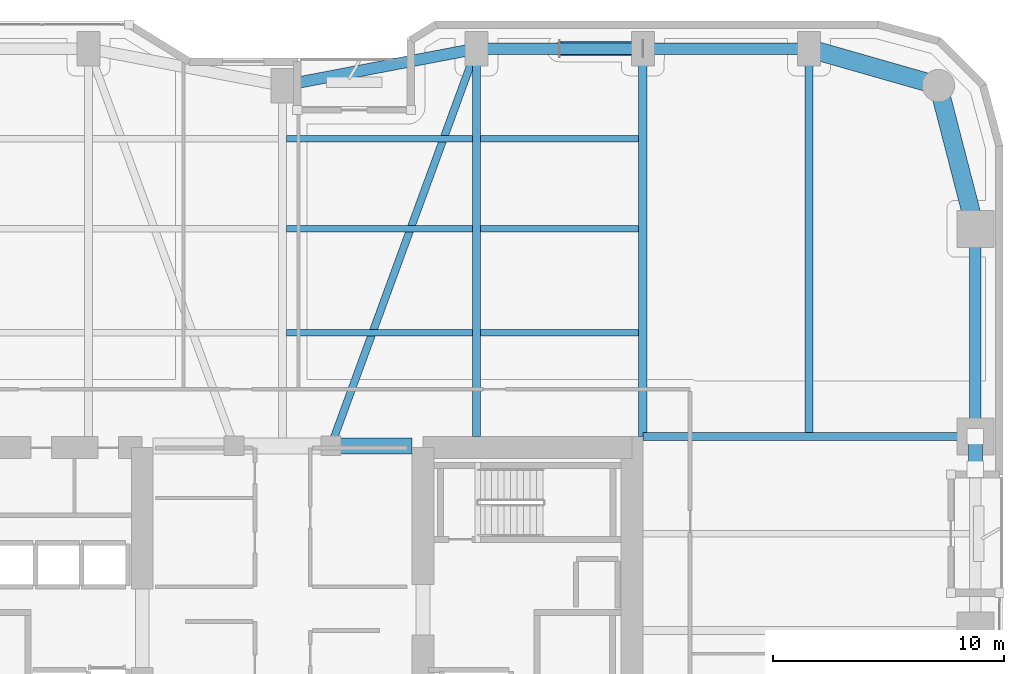
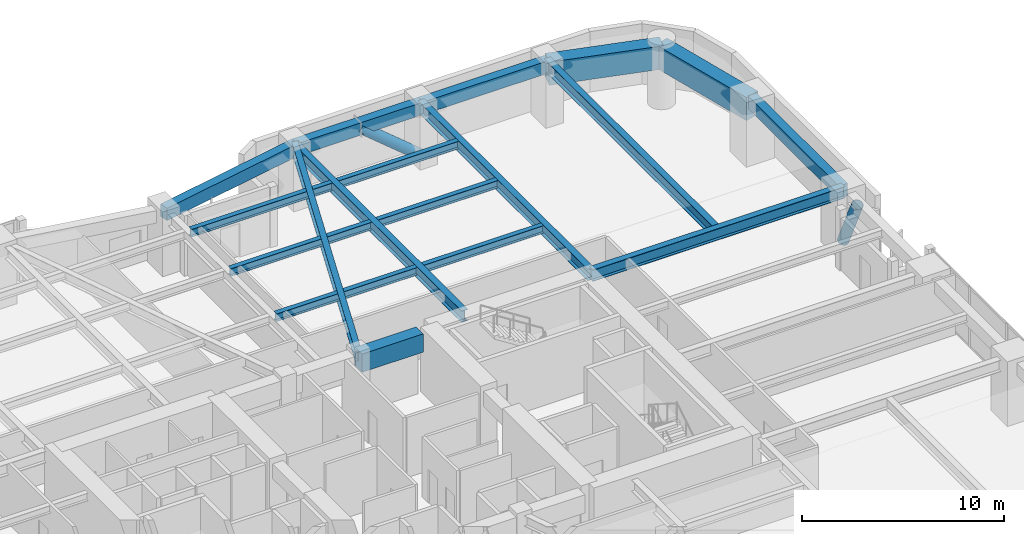
# One storey, part 18 of 29: 18 beams, 2 members.
"""IFC4 building model written with IfcOpenShell, lengths in metres."""

from ifc_helpers import new_model, si_unit, direction, frame, origin, origin_2d, place, context, subcontext, project, spatial, rectangle, hollow_circle, i_section, extrude, material, material_profile, profile_set, type_object, element, save


model = new_model("IFC4")

# Units and contexts
model_context = context("Model", 3, precision=1e-05, world=origin(), true_north=direction((0.0, 1.0)))
body_context = subcontext(model_context, "Body", "Model", "MODEL_VIEW")
ifc_project = project(units=[si_unit("LENGTHUNIT", "METRE"), si_unit("AREAUNIT", "SQUARE_METRE"), si_unit("VOLUMEUNIT", "CUBIC_METRE"), si_unit("PLANEANGLEUNIT", "RADIAN"), si_unit("MASSUNIT", "GRAM", prefix="KILO")], contexts=[model_context])

# Site, building, storey
site_placement = place(None, origin())
site = spatial("IfcSite", under=ifc_project, at=site_placement, CompositionType="ELEMENT")
building_placement = place(site_placement, origin())
building = spatial("IfcBuilding", under=site, at=building_placement, Name="Kiyonajd Concourse Tower", CompositionType="ELEMENT")
storey_placement = place(building_placement, frame((0.0, 0.0, 25.5)))
storey = spatial("IfcBuildingStorey", under=building, at=storey_placement, Name="L07", CompositionType="ELEMENT", Elevation=25.5)

# Beams
ifc_material_1 = material(Name="Concrete C70/85", Category="concrete")
ifc_material_profile_1 = material_profile(ifc_material_1, rectangle(XDim=0.699951171875, YDim=1.10009765625, at=origin_2d()), Name="RCBM-700x1100")
ifc_profile_set_1 = profile_set([ifc_material_profile_1], Name="Concrete C70/85")
beam_type_1 = type_object("IfcBeamType", Name="BM-COUP-1100", PredefinedType="LINTEL", material=ifc_profile_set_1)
beam_1_placement = place(storey_placement, frame((50.10009765625, 44.0, 3.090087890625), z_axis=(1.0, 0.0, 0.0), x_axis=(0.0, 1.0, 0.0)))
element("IfcBeam", 1, at=beam_1_placement, inside=storey, type_object=beam_type_1, Name="L07 Core Coupling Beam N3", PredefinedType="LINTEL", context=body_context, shape_type="SweptSolid", body=[
    extrude(rectangle(XDim=0.699951171875, YDim=1.10009765625, at=origin_2d()), origin(), (0.0, 0.0, 1.0), 3.5),
])
ifc_material_2 = material(Name="Steel ASTM A992 Grade 50", Category="steel")
ifc_material_profile_2 = material_profile(ifc_material_2, i_section(OverallWidth=0.280029296875, OverallDepth=0.462890625, WebThickness=0.0107421875, FlangeThickness=0.017333984375, at=origin_2d()), Name="W460X113")
ifc_profile_set_2 = profile_set([ifc_material_profile_2], Name="Steel ASTM A992 Grade 50")
beam_type_2 = type_object("IfcBeamType", Name="BM-JST-460A", PredefinedType="JOIST", material=ifc_profile_set_2)
beam_2_placement = place(storey_placement, frame((48.177490234375, 48.89990234375, 3.408447265625), z_axis=(1.0, 0.0, 0.0), x_axis=(0.0, 1.0, 0.0)))
element("IfcBeam", 2, at=beam_2_placement, inside=storey, type_object=beam_type_2, Name="L07 Secondary Floor Joist", PredefinedType="JOIST", context=body_context, shape_type="SweptSolid", body=[
    extrude(i_section(OverallWidth=0.280029296875, OverallDepth=0.462890625, WebThickness=0.0107421875, FlangeThickness=0.017333984375, at=origin_2d()), origin(), (0.0, 0.0, 1.0), 8.044921875),
])
beam_3_placement = place(storey_placement, frame((56.577392578125, 48.89990234375, 3.408447265625), z_axis=(1.0, 0.0, 0.0), x_axis=(0.0, 1.0, 0.0)))
element("IfcBeam", 3, at=beam_3_placement, inside=storey, type_object=beam_type_2, Name="L07 Secondary Floor Joist", PredefinedType="JOIST", context=body_context, shape_type="SweptSolid", body=[
    extrude(i_section(OverallWidth=0.280029296875, OverallDepth=0.462890625, WebThickness=0.0107421875, FlangeThickness=0.017333984375, at=origin_2d()), origin(), (0.0, 0.0, 1.0), 6.84521484375),
])
beam_4_placement = place(storey_placement, frame((48.177490234375, 53.39990234375, 3.408447265625), z_axis=(1.0, 0.0, 0.0), x_axis=(0.0, 1.0, 0.0)))
element("IfcBeam", 4, at=beam_4_placement, inside=storey, type_object=beam_type_2, Name="L07 Secondary Floor Joist", PredefinedType="JOIST", context=body_context, shape_type="SweptSolid", body=[
    extrude(i_section(OverallWidth=0.280029296875, OverallDepth=0.462890625, WebThickness=0.0107421875, FlangeThickness=0.017333984375, at=origin_2d()), origin(), (0.0, 0.0, 1.0), 8.044921875),
])
beam_5_placement = place(storey_placement, frame((56.577392578125, 53.39990234375, 3.408447265625), z_axis=(1.0, 0.0, 0.0), x_axis=(0.0, 1.0, 0.0)))
element("IfcBeam", 5, at=beam_5_placement, inside=storey, type_object=beam_type_2, Name="L07 Secondary Floor Joist", PredefinedType="JOIST", context=body_context, shape_type="SweptSolid", body=[
    extrude(i_section(OverallWidth=0.280029296875, OverallDepth=0.462890625, WebThickness=0.0107421875, FlangeThickness=0.017333984375, at=origin_2d()), origin(), (0.0, 0.0, 1.0), 6.84521484375),
])
beam_6_placement = place(storey_placement, frame((48.177490234375, 57.300048828125, 3.408447265625), z_axis=(1.0, 0.0, 0.0), x_axis=(0.0, 1.0, 0.0)))
element("IfcBeam", 6, at=beam_6_placement, inside=storey, type_object=beam_type_2, Name="L07 Secondary Floor Joist", PredefinedType="JOIST", context=body_context, shape_type="SweptSolid", body=[
    extrude(i_section(OverallWidth=0.280029296875, OverallDepth=0.462890625, WebThickness=0.0107421875, FlangeThickness=0.017333984375, at=origin_2d()), origin(), (0.0, 0.0, 1.0), 8.044921875),
])
beam_7_placement = place(storey_placement, frame((56.577392578125, 57.300048828125, 3.408447265625), z_axis=(1.0, 0.0, 0.0), x_axis=(0.0, 1.0, 0.0)))
element("IfcBeam", 7, at=beam_7_placement, inside=storey, type_object=beam_type_2, Name="L07 Secondary Floor Joist", PredefinedType="JOIST", context=body_context, shape_type="SweptSolid", body=[
    extrude(i_section(OverallWidth=0.280029296875, OverallDepth=0.462890625, WebThickness=0.0107421875, FlangeThickness=0.017333984375, at=origin_2d()), origin(), (0.0, 0.0, 1.0), 6.84521484375),
])
ifc_material_3 = material(Name="Precast concrete C50/60", Category="concrete")
ifc_material_profile_3 = material_profile(ifc_material_3, rectangle(XDim=0.5, YDim=0.75, at=origin_2d()), Name="RCBM-500x750")
ifc_profile_set_3 = profile_set([ifc_material_profile_3], Name="Precast concrete C50/60")
beam_type_3 = type_object("IfcBeamType", Name="BM-SPAN-RC", PredefinedType="SPANDREL", material=ifc_profile_set_3)
beam_8_placement = place(storey_placement, frame((78.0, 44.39990234375, 3.264892578125), z_axis=(0.0, 1.0, 0.0), x_axis=(-1.0, 0.0, 0.0)))
element("IfcBeam", 8, at=beam_8_placement, inside=storey, type_object=beam_type_3, Name="L07 Perimeter Bundled Tube Spandrel", PredefinedType="SPANDREL", context=body_context, shape_type="SweptSolid", body=[
    extrude(rectangle(XDim=0.5, YDim=0.75, at=origin_2d()), origin(), (0.0, 0.0, 1.0), 9.0),
])
beam_9_placement = place(storey_placement, frame((70.800048828125, 61.199951171875, 3.264892578125), z_axis=(-1.0, 0.0, 0.0), x_axis=(0.0, -1.0, 0.0)))
element("IfcBeam", 9, at=beam_9_placement, inside=storey, type_object=beam_type_3, Name="L07 Perimeter Bundled Tube Spandrel", PredefinedType="SPANDREL", context=body_context, shape_type="SweptSolid", body=[
    extrude(rectangle(XDim=0.5, YDim=0.75, at=origin_2d()), origin(), (0.0, 0.0, 1.0), 7.199951171875),
])
beam_10_placement = place(storey_placement, frame((63.60009765625, 61.199951171875, 3.264892578125), z_axis=(-1.0, 0.0, 0.0), x_axis=(0.0, -1.0, 0.0)))
element("IfcBeam", 10, at=beam_10_placement, inside=storey, type_object=beam_type_3, Name="L07 Perimeter Bundled Tube Spandrel", PredefinedType="SPANDREL", context=body_context, shape_type="SweptSolid", body=[
    extrude(rectangle(XDim=0.5, YDim=0.75, at=origin_2d()), origin(), (0.0, 0.0, 1.0), 7.2001953125),
])
beam_11_placement = place(storey_placement, frame((56.39990234375, 61.199951171875, 3.264892578125), z_axis=(-0.982341315253, -0.187097675953, 0.0), x_axis=(0.187097675953, -0.982341315253, 0.0)))
element("IfcBeam", 11, at=beam_11_placement, inside=storey, type_object=beam_type_3, Name="L07 Perimeter Bundled Tube Spandrel", PredefinedType="SPANDREL", context=body_context, shape_type="SweptSolid", body=[
    extrude(rectangle(XDim=0.5, YDim=0.75, at=origin_2d()), origin(), (0.0, 0.0, 1.0), 8.55078125),
])
ifc_material_profile_4 = material_profile(ifc_material_2, i_section(OverallWidth=0.326904296875, OverallDepth=0.6220703125, WebThickness=0.015380859375, FlangeThickness=0.0244140625, at=origin_2d()), Name="W610X195")
ifc_profile_set_4 = profile_set([ifc_material_profile_4], Name="Steel ASTM A992 Grade 50")
beam_type_4 = type_object("IfcBeamType", Name="BM-TWR-610A", PredefinedType="BEAM", material=ifc_profile_set_4)
beam_12_placement = place(storey_placement, frame((50.10009765625, 44.0, 3.3291015625), z_axis=(0.343925269715, 0.938997022813, 0.0), x_axis=(-0.938997022813, 0.343925269715, 0.0)))
element("IfcBeam", 12, at=beam_12_placement, inside=storey, type_object=beam_type_4, Name="L07 Core Tie Girder", PredefinedType="BEAM", context=body_context, shape_type="SweptSolid", body=[
    extrude(i_section(OverallWidth=0.326904296875, OverallDepth=0.6220703125, WebThickness=0.015380859375, FlangeThickness=0.0244140625, at=origin_2d()), origin(), (0.0, 0.0, 1.0), 18.3173828125),
])
ifc_material_profile_5 = material_profile(ifc_material_2, i_section(OverallWidth=0.35498046875, OverallDepth=0.695068359375, WebThickness=0.015380859375, FlangeThickness=0.02490234375, at=origin_2d()), Name="W690X217")
ifc_profile_set_5 = profile_set([ifc_material_profile_5], Name="Steel ASTM A992 Grade 50")
beam_type_5 = type_object("IfcBeamType", Name="BM-TWR-690", PredefinedType="BEAM", material=ifc_profile_set_5)
for number, where, z_axis, x_axis, name in (
    (13, (56.39990234375, 44.39990234375, 3.29248046875), (0.0, 1.0, 0.0), (-1.0, 0.0, 0.0), "L07 North Lease Girder"),
    (14, (63.60009765625, 44.39990234375, 3.29248046875), (0.0, 1.0, 0.0), (-1.0, 0.0, 0.0), "L07 North Lease Girder"),
    (15, (70.800048828125, 44.39990234375, 3.29248046875), (0.0, 1.0, 0.0), (-1.0, 0.0, 0.0), "L07 North Lease Girder"),
):
    element("IfcBeam", number, at=place(storey_placement, frame(where, z_axis=z_axis, x_axis=x_axis)), inside=storey, type_object=beam_type_5, Name=name, PredefinedType="BEAM", context=body_context, shape_type="SweptSolid", body=[
        extrude(i_section(OverallWidth=0.35498046875, OverallDepth=0.695068359375, WebThickness=0.015380859375, FlangeThickness=0.02490234375, at=origin_2d()), origin(), (0.0, 0.0, 1.0), 16.800048828125),
    ])
beam_13_placement = place(storey_placement, frame((63.60009765625, 44.39990234375, 3.29248046875), z_axis=(1.0, 0.0, 0.0), x_axis=(0.0, 1.0, 0.0)))
element("IfcBeam", 16, at=beam_13_placement, inside=storey, type_object=beam_type_5, Name="L07 East Lease Girder", PredefinedType="BEAM", context=body_context, shape_type="SweptSolid", body=[
    extrude(i_section(OverallWidth=0.35498046875, OverallDepth=0.695068359375, WebThickness=0.015380859375, FlangeThickness=0.02490234375, at=origin_2d()), origin(), (0.0, 0.0, 1.0), 14.39990234375),
])
ifc_material_4 = material(Name="Concrete C60/75", Category="concrete")
ifc_material_profile_6 = material_profile(ifc_material_4, rectangle(XDim=0.800048828125, YDim=1.39990234375, at=origin_2d()), Name="RCBM-800x1400")
ifc_profile_set_6 = profile_set([ifc_material_profile_6], Name="Concrete C60/75")
beam_type_6 = type_object("IfcBeamType", Name="BM-XFER-RC", PredefinedType="BEAM", material=ifc_profile_set_6)
beam_14_placement = place(storey_placement, frame((78.0, 53.39990234375, 2.93994140625), z_axis=(-0.249884937687, 0.968275538221, 0.0), x_axis=(-0.968275538221, -0.249884937687, 0.0)))
element("IfcBeam", 17, at=beam_14_placement, inside=storey, type_object=beam_type_6, Name="L07 Perimeter Bundled Tube Spandrel", PredefinedType="BEAM", context=body_context, shape_type="SweptSolid", body=[
    extrude(rectangle(XDim=0.800048828125, YDim=1.39990234375, at=origin_2d()), origin(), (0.0, 0.0, 1.0), 6.4033203125),
])
beam_15_placement = place(storey_placement, frame((76.39990234375, 59.60009765625, 2.93994140625), z_axis=(-0.961528693205, 0.274704517878, 0.0), x_axis=(-0.274704517878, -0.961528693205, 0.0)))
element("IfcBeam", 18, at=beam_15_placement, inside=storey, type_object=beam_type_6, Name="L07 Perimeter Bundled Tube Spandrel", PredefinedType="BEAM", context=body_context, shape_type="SweptSolid", body=[
    extrude(rectangle(XDim=0.800048828125, YDim=1.39990234375, at=origin_2d()), origin(), (0.0, 0.0, 1.0), 5.823974609375),
])

# Members
ifc_material_5 = material(Name="Steel ASTM A572 Grade 50", Category="steel")
ifc_material_profile_7 = material_profile(ifc_material_5, hollow_circle(Radius=0.304931640625, WallThickness=0.02490234375, at=origin_2d()), Name="CHS-610x25")
ifc_profile_set_7 = profile_set([ifc_material_profile_7], Name="Steel ASTM A572 Grade 50")
member_type = type_object("IfcMemberType", Name="MB-PB-LOW", PredefinedType="BRACE", material=ifc_profile_set_7)
member_1_placement = place(storey_placement, frame((63.60009765625, 61.199951171875, 0.300048828125), z_axis=(-0.769280705518, 0.0, 0.638910945373), x_axis=(0.0, -1.0, 0.0)))
element("IfcMember", 19, at=member_1_placement, inside=storey, type_object=member_type, Name="L07 Lower Zone Welded Tube Brace PBN", PredefinedType="BRACE", context=body_context, shape_type="SweptSolid", body=[
    extrude(hollow_circle(Radius=0.304931640625, WallThickness=0.02490234375, at=origin_2d()), origin(), (0.0, 0.0, 1.0), 4.679931640625),
])
member_2_placement = place(storey_placement, frame((78.0, 44.39990234375, 0.300048828125), z_axis=(0.0, -0.424022702926, 0.905651559598), x_axis=(1.0, 0.0, 0.0)))
element("IfcMember", 20, at=member_2_placement, inside=storey, type_object=member_type, Name="L07 Lower Zone Welded Tube Brace PBE", PredefinedType="BRACE", context=body_context, shape_type="SweptSolid", body=[
    extrude(hollow_circle(Radius=0.304931640625, WallThickness=0.02490234375, at=origin_2d()), origin(), (0.0, 0.0, 1.0), 3.301513671875),
])

save(model, "model.ifc")
